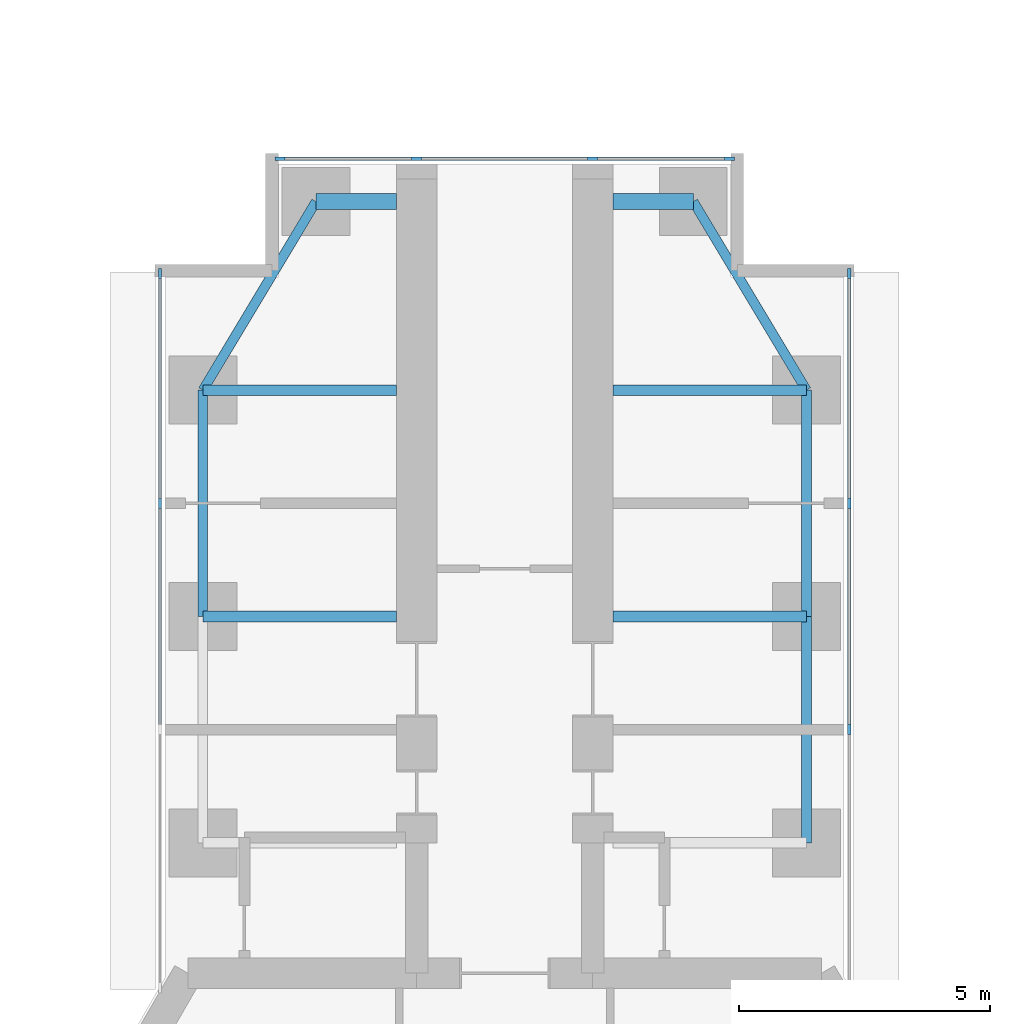
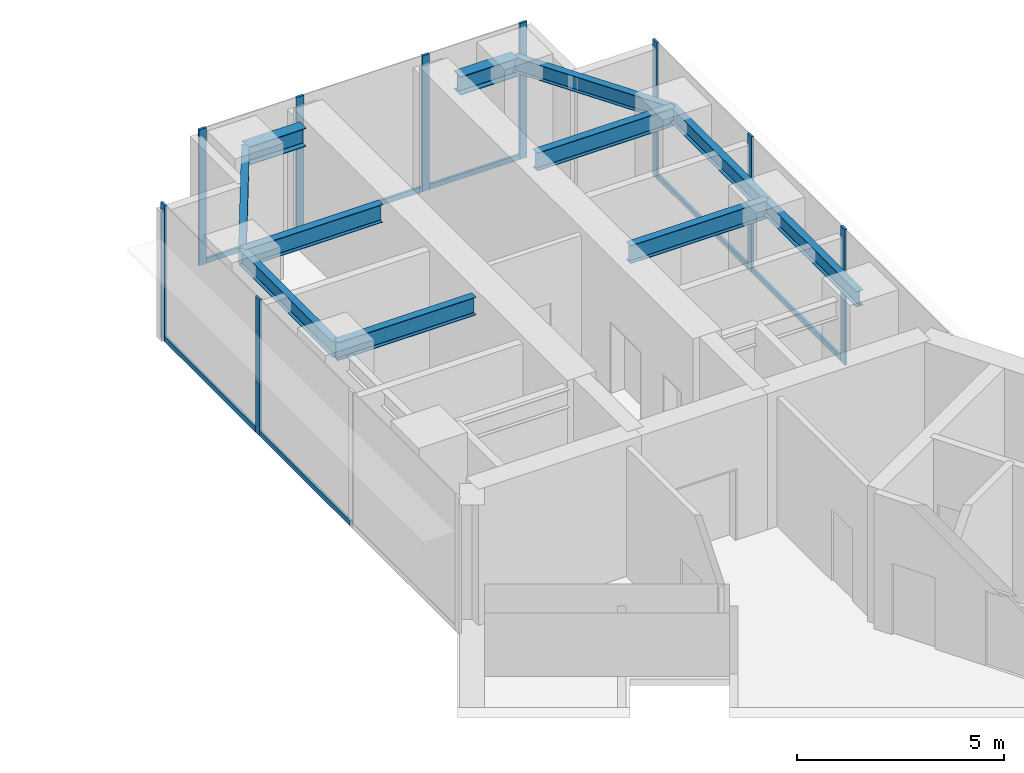
# One storey, part 12 of 21: 16 members, 11 beams, 3 elements without a shape of their own.
"""IFC4 building model written with IfcOpenShell, lengths in metres."""

from ifc_helpers import new_model, si_unit, direction, frame, origin, origin_2d, place, context, subcontext, project, spatial, rectangle, i_section, extrude, material, material_profile, profile_set, type_object, element, aggregate, save


model = new_model("IFC4")

# Units and contexts
model_context = context("Model", 3, precision=1e-05, world=origin(), true_north=direction((0.0, 1.0)))
body_context = subcontext(model_context, "Body", "Model", "MODEL_VIEW")
ifc_project = project(units=[si_unit("LENGTHUNIT", "METRE"), si_unit("AREAUNIT", "SQUARE_METRE"), si_unit("VOLUMEUNIT", "CUBIC_METRE"), si_unit("PLANEANGLEUNIT", "RADIAN"), si_unit("MASSUNIT", "GRAM", prefix="KILO")], contexts=[model_context])

# Site, building, storey
site_placement = place(None, origin())
site = spatial("IfcSite", under=ifc_project, at=site_placement, CompositionType="ELEMENT")
building_placement = place(site_placement, origin())
building = spatial("IfcBuilding", under=site, at=building_placement, Name="Upepo Twin Towers", CompositionType="ELEMENT")
storey_placement = place(building_placement, frame((0.0, 0.0, 113.5)))
storey = spatial("IfcBuildingStorey", under=building, at=storey_placement, Name="L27", CompositionType="ELEMENT", Elevation=113.5)

# Beams
ifc_material_1 = material(Name="Steel S355", Category="steel")
ifc_material_profile_1 = material_profile(ifc_material_1, i_section(OverallWidth=0.1904296875, OverallDepth=0.45703125, WebThickness=0.009033203125, FlangeThickness=0.014404296875, FilletRadius=0.01025390625, at=origin_2d()), Name="UB 457x191x74")
ifc_profile_set_1 = profile_set([ifc_material_profile_1], Name="Steel S355")
beam_type_1 = type_object("IfcBeamType", Name="Beam UB 457x191x74", PredefinedType="BEAM", material=ifc_profile_set_1)
beam_1_placement = place(storey_placement, frame((52.5, 0.0, 3.571533203125), z_axis=(0.0, 1.0, 0.0), x_axis=(-1.0, 0.0, 0.0)))
element("IfcBeam", 1, at=beam_1_placement, inside=storey, type_object=beam_type_1, Name="T2 edge beam AL 18.0-22.5", PredefinedType="BEAM", context=body_context, shape_type="SweptSolid", body=[
    extrude(i_section(OverallWidth=0.1904296875, OverallDepth=0.45703125, WebThickness=0.009033203125, FlangeThickness=0.014404296875, FilletRadius=0.01025390625, at=origin_2d()), origin(), (0.0, 0.0, 1.0), 4.5),
])
beam_2_placement = place(storey_placement, frame((52.5, 4.5, 3.571533203125), z_axis=(0.514495755428, 0.857492925713, 0.0), x_axis=(-0.857492925713, 0.514495755428, 0.0)))
element("IfcBeam", 2, at=beam_2_placement, inside=storey, type_object=beam_type_1, Name="T2 nose edge beam AL", PredefinedType="BEAM", context=body_context, shape_type="SweptSolid", body=[
    extrude(i_section(OverallWidth=0.1904296875, OverallDepth=0.45703125, WebThickness=0.009033203125, FlangeThickness=0.014404296875, FilletRadius=0.01025390625, at=origin_2d()), origin(), (0.0, 0.0, 1.0), 4.373291015625),
])
for number, where, z_axis, x_axis, name in (
    (3, (64.5, -4.5, 3.571533203125), (0.0, 1.0, 0.0), (-1.0, 0.0, 0.0), "T2 edge beam AR 13.5-18.0"),
    (4, (64.5, 0.0, 3.571533203125), (0.0, 1.0, 0.0), (-1.0, 0.0, 0.0), "T2 edge beam AR 18.0-22.5"),
):
    element("IfcBeam", number, at=place(storey_placement, frame(where, z_axis=z_axis, x_axis=x_axis)), inside=storey, type_object=beam_type_1, Name=name, PredefinedType="BEAM", context=body_context, shape_type="SweptSolid", body=[
        extrude(i_section(OverallWidth=0.1904296875, OverallDepth=0.45703125, WebThickness=0.009033203125, FlangeThickness=0.014404296875, FilletRadius=0.01025390625, at=origin_2d()), origin(), (0.0, 0.0, 1.0), 4.5),
    ])
beam_3_placement = place(storey_placement, frame((64.5, 4.5, 3.571533203125), z_axis=(-0.514495755428, 0.857492925713, 0.0), x_axis=(-0.857492925713, -0.514495755428, 0.0)))
element("IfcBeam", 5, at=beam_3_placement, inside=storey, type_object=beam_type_1, Name="T2 nose edge beam AR", PredefinedType="BEAM", context=body_context, shape_type="SweptSolid", body=[
    extrude(i_section(OverallWidth=0.1904296875, OverallDepth=0.45703125, WebThickness=0.009033203125, FlangeThickness=0.014404296875, FilletRadius=0.01025390625, at=origin_2d()), origin(), (0.0, 0.0, 1.0), 4.373291015625),
])
ifc_material_2 = material(Name="Steel S355", Category="steel")
ifc_material_profile_2 = material_profile(ifc_material_2, i_section(OverallWidth=0.209228515625, OverallDepth=0.533203125, WebThickness=0.010009765625, FlangeThickness=0.015625, FilletRadius=0.0126953125, at=origin_2d()), Name="UB 533x210x92")
ifc_profile_set_2 = profile_set([ifc_material_profile_2], Name="Steel S355")
beam_type_2 = type_object("IfcBeamType", Name="Beam UB 533x210x92", PredefinedType="BEAM", material=ifc_profile_set_2)
for number, where, z_axis, x_axis, name in (
    (6, (52.5, 0.0, 3.533447265625), (1.0, 0.0, 0.0), (0.0, 1.0, 0.0), "T2 girder AL at 18.0"),
    (7, (52.5, 4.5, 3.533447265625), (1.0, 0.0, 0.0), (0.0, 1.0, 0.0), "T2 girder AL at 22.5"),
    (8, (64.5, 0.0, 3.533447265625), (-1.0, 0.0, 0.0), (0.0, -1.0, 0.0), "T2 girder AR at 18.0"),
    (9, (64.5, 4.5, 3.533447265625), (-1.0, 0.0, 0.0), (0.0, -1.0, 0.0), "T2 girder AR at 22.5"),
):
    element("IfcBeam", number, at=place(storey_placement, frame(where, z_axis=z_axis, x_axis=x_axis)), inside=storey, type_object=beam_type_2, Name=name, PredefinedType="BEAM", context=body_context, shape_type="SweptSolid", body=[
        extrude(i_section(OverallWidth=0.209228515625, OverallDepth=0.533203125, WebThickness=0.010009765625, FlangeThickness=0.015625, FilletRadius=0.0126953125, at=origin_2d()), origin(), (0.0, 0.0, 1.0), 3.85009765625),
    ])
ifc_material_3 = material(Name="Steel S355", Category="steel")
ifc_material_profile_3 = material_profile(ifc_material_3, i_section(OverallWidth=0.31201171875, OverallDepth=0.54345703125, WebThickness=0.0126953125, FlangeThickness=0.020263671875, FilletRadius=0.0126953125, at=origin_2d()), Name="UB 533x312x150")
ifc_profile_set_3 = profile_set([ifc_material_profile_3], Name="Steel S355")
beam_type_3 = type_object("IfcBeamType", Name="Beam UB 533x312x150", PredefinedType="BEAM", material=ifc_profile_set_3)
for number, where, z_axis, x_axis, name in (
    (10, (54.75, 8.25, 3.5283203125), (1.0, 0.0, 0.0), (0.0, 1.0, 0.0), "T2 nose beam AL"),
    (11, (62.25, 8.25, 3.5283203125), (-1.0, 0.0, 0.0), (0.0, -1.0, 0.0), "T2 nose beam AR"),
):
    element("IfcBeam", number, at=place(storey_placement, frame(where, z_axis=z_axis, x_axis=x_axis)), inside=storey, type_object=beam_type_3, Name=name, PredefinedType="BEAM", context=body_context, shape_type="SweptSolid", body=[
        extrude(i_section(OverallWidth=0.31201171875, OverallDepth=0.54345703125, WebThickness=0.0126953125, FlangeThickness=0.020263671875, FilletRadius=0.0126953125, at=origin_2d()), origin(), (0.0, 0.0, 1.0), 1.60009765625),
    ])

# Curtain wall, members
ifc_material_4 = material(Name="Aluminium and fritted glass", Category="aluminium")
curtain_wall_type = type_object("IfcCurtainWallType", Name="Tower curtain wall TW2, fritted glass", PredefinedType="NOTDEFINED", material=ifc_material_4)
curtain_wall_1_placement = place(storey_placement, origin())
curtain_wall_1 = element("IfcCurtainWall", 12, at=curtain_wall_1_placement, inside=storey, type_object=curtain_wall_type, Name="T2 L27 wing A flank L curtain wall", PredefinedType="NOTDEFINED")
ifc_material_5 = material(Name="Aluminium mullion", Category="aluminium")
ifc_material_profile_4 = material_profile(ifc_material_5, rectangle(XDim=0.06494140625, YDim=0.199951171875, at=origin_2d()), Name="MULLION 65x200")
ifc_profile_set_4 = profile_set([ifc_material_profile_4], Name="Aluminium mullion")
member_type_1 = type_object("IfcMemberType", Name="Mullion 65x200 TW2", PredefinedType="MULLION", material=ifc_profile_set_4)
member_1_placement = place(storey_placement, frame((51.64990234375, 2.25, 0.0), z_axis=(0.0, 0.0, 1.0), x_axis=(-1.0, 0.0, 0.0)))
member_1 = element("IfcMember", 13, at=member_1_placement, type_object=member_type_1, Name="T2 L27 wing A flank L curtain wall mullion 3", PredefinedType="MULLION", context=body_context, shape_type="SweptSolid", body=[
    extrude(rectangle(XDim=0.06494140625, YDim=0.199951171875, at=origin_2d()), origin(), (0.0, 0.0, 1.0), 4.0),
])
member_2_placement = place(storey_placement, frame((51.64990234375, 6.8173828125, 0.0), z_axis=(0.0, 0.0, 1.0), x_axis=(-1.0, 0.0, 0.0)))
member_2 = element("IfcMember", 14, at=member_2_placement, type_object=member_type_1, Name="T2 L27 wing A flank L curtain wall mullion 4", PredefinedType="MULLION", context=body_context, shape_type="SweptSolid", body=[
    extrude(rectangle(XDim=0.06494140625, YDim=0.199951171875, at=origin_2d()), origin(), (0.0, 0.0, 1.0), 4.0),
])

curtain_wall_2_placement = place(storey_placement, origin())
curtain_wall_2 = element("IfcCurtainWall", 15, at=curtain_wall_2_placement, inside=storey, type_object=curtain_wall_type, Name="T2 L27 wing A flank R curtain wall", PredefinedType="NOTDEFINED")
member_3_placement = place(storey_placement, frame((65.35009765625, 6.8173828125, 0.0), z_axis=(0.0, 0.0, 1.0), x_axis=(1.0, 0.0, 0.0)))
member_3 = element("IfcMember", 16, at=member_3_placement, type_object=member_type_1, Name="T2 L27 wing A flank R curtain wall mullion 1", PredefinedType="MULLION", context=body_context, shape_type="SweptSolid", body=[
    extrude(rectangle(XDim=0.06494140625, YDim=0.199951171875, at=origin_2d()), origin(), (0.0, 0.0, 1.0), 4.0),
])
member_4_placement = place(storey_placement, frame((65.35009765625, 2.25, 0.0), z_axis=(0.0, 0.0, 1.0), x_axis=(1.0, 0.0, 0.0)))
member_4 = element("IfcMember", 17, at=member_4_placement, type_object=member_type_1, Name="T2 L27 wing A flank R curtain wall mullion 2", PredefinedType="MULLION", context=body_context, shape_type="SweptSolid", body=[
    extrude(rectangle(XDim=0.06494140625, YDim=0.199951171875, at=origin_2d()), origin(), (0.0, 0.0, 1.0), 4.0),
])
member_5_placement = place(storey_placement, frame((65.35009765625, -2.25, 0.0), z_axis=(0.0, 0.0, 1.0), x_axis=(1.0, 0.0, 0.0)))
member_5 = element("IfcMember", 18, at=member_5_placement, type_object=member_type_1, Name="T2 L27 wing A flank R curtain wall mullion 3", PredefinedType="MULLION", context=body_context, shape_type="SweptSolid", body=[
    extrude(rectangle(XDim=0.06494140625, YDim=0.199951171875, at=origin_2d()), origin(), (0.0, 0.0, 1.0), 4.0),
])

curtain_wall_3_placement = place(storey_placement, origin())
curtain_wall_3 = element("IfcCurtainWall", 19, at=curtain_wall_3_placement, inside=storey, type_object=curtain_wall_type, Name="T2 L27 wing A nose curtain wall", PredefinedType="NOTDEFINED")
member_6_placement = place(storey_placement, frame((62.967529296875, 9.10009765625, 0.0), z_axis=(0.0, 0.0, 1.0), x_axis=(0.0, -1.0, 0.0)))
member_6 = element("IfcMember", 20, at=member_6_placement, type_object=member_type_1, Name="T2 L27 wing A nose curtain wall mullion 1", PredefinedType="MULLION", context=body_context, shape_type="SweptSolid", body=[
    extrude(rectangle(XDim=0.06494140625, YDim=0.199951171875, at=origin_2d()), origin(), (0.0, 0.0, 1.0), 4.0),
])
member_7_placement = place(storey_placement, frame((60.25, 9.10009765625, 0.0), z_axis=(0.0, 0.0, 1.0), x_axis=(0.0, -1.0, 0.0)))
member_7 = element("IfcMember", 21, at=member_7_placement, type_object=member_type_1, Name="T2 L27 wing A nose curtain wall mullion 2", PredefinedType="MULLION", context=body_context, shape_type="SweptSolid", body=[
    extrude(rectangle(XDim=0.06494140625, YDim=0.199951171875, at=origin_2d()), origin(), (0.0, 0.0, 1.0), 4.0),
])
member_8_placement = place(storey_placement, frame((56.75, 9.10009765625, 0.0), z_axis=(0.0, 0.0, 1.0), x_axis=(0.0, -1.0, 0.0)))
member_8 = element("IfcMember", 22, at=member_8_placement, type_object=member_type_1, Name="T2 L27 wing A nose curtain wall mullion 3", PredefinedType="MULLION", context=body_context, shape_type="SweptSolid", body=[
    extrude(rectangle(XDim=0.06494140625, YDim=0.199951171875, at=origin_2d()), origin(), (0.0, 0.0, 1.0), 4.0),
])
member_9_placement = place(storey_placement, frame((54.032470703125, 9.10009765625, 0.0), z_axis=(0.0, 0.0, 1.0), x_axis=(0.0, -1.0, 0.0)))
member_9 = element("IfcMember", 23, at=member_9_placement, type_object=member_type_1, Name="T2 L27 wing A nose curtain wall mullion 4", PredefinedType="MULLION", context=body_context, shape_type="SweptSolid", body=[
    extrude(rectangle(XDim=0.06494140625, YDim=0.199951171875, at=origin_2d()), origin(), (0.0, 0.0, 1.0), 4.0),
])

# Member
ifc_material_6 = material(Name="Aluminium transom", Category="aluminium")
ifc_material_profile_5 = material_profile(ifc_material_6, rectangle(XDim=0.06494140625, YDim=0.14990234375, at=origin_2d()), Name="TRANSOM 65x150")
ifc_profile_set_5 = profile_set([ifc_material_profile_5], Name="Aluminium transom")
member_type_2 = type_object("IfcMemberType", Name="Transom 65x150 TW2", PredefinedType="USERDEFINED", material=ifc_profile_set_5)
member_10_placement = place(storey_placement, frame((51.64990234375, -2.217529296875, 0.074951171875), z_axis=(0.0, 1.0, 0.0), x_axis=(-1.0, 0.0, 0.0)))
member_10 = element("IfcMember", 24, at=member_10_placement, type_object=member_type_2, Name="T2 L27 wing A flank L curtain wall transom 2", ObjectType="TRANSOM", PredefinedType="USERDEFINED", context=body_context, shape_type="SweptSolid", body=[
    extrude(rectangle(XDim=0.06494140625, YDim=0.14990234375, at=origin_2d()), origin(), (0.0, 0.0, 1.0), 4.43505859375),
])

member_11_placement = place(storey_placement, frame((51.64990234375, 2.282470703125, 0.074951171875), z_axis=(0.0, 1.0, 0.0), x_axis=(-1.0, 0.0, 0.0)))
member_11 = element("IfcMember", 25, at=member_11_placement, type_object=member_type_2, Name="T2 L27 wing A flank L curtain wall transom 3", ObjectType="TRANSOM", PredefinedType="USERDEFINED", context=body_context, shape_type="SweptSolid", body=[
    extrude(rectangle(XDim=0.06494140625, YDim=0.14990234375, at=origin_2d()), origin(), (0.0, 0.0, 1.0), 4.50244140625),
])

aggregate(curtain_wall_1, [member_1, member_2, member_10, member_11])

member_12_placement = place(storey_placement, frame((65.35009765625, 6.784912109375, 0.074951171875), z_axis=(0.0, -1.0, 0.0), x_axis=(1.0, 0.0, 0.0)))
member_12 = element("IfcMember", 26, at=member_12_placement, type_object=member_type_2, Name="T2 L27 wing A flank R curtain wall transom 1", ObjectType="TRANSOM", PredefinedType="USERDEFINED", context=body_context, shape_type="SweptSolid", body=[
    extrude(rectangle(XDim=0.06494140625, YDim=0.14990234375, at=origin_2d()), origin(), (0.0, 0.0, 1.0), 4.50244140625),
])

member_13_placement = place(storey_placement, frame((65.35009765625, 2.217529296875, 0.074951171875), z_axis=(0.0, -1.0, 0.0), x_axis=(1.0, 0.0, 0.0)))
member_13 = element("IfcMember", 27, at=member_13_placement, type_object=member_type_2, Name="T2 L27 wing A flank R curtain wall transom 2", ObjectType="TRANSOM", PredefinedType="USERDEFINED", context=body_context, shape_type="SweptSolid", body=[
    extrude(rectangle(XDim=0.06494140625, YDim=0.14990234375, at=origin_2d()), origin(), (0.0, 0.0, 1.0), 4.43505859375),
])

aggregate(curtain_wall_2, [member_3, member_4, member_5, member_12, member_13])

member_14_placement = place(storey_placement, frame((62.93505859375, 9.10009765625, 0.074951171875), z_axis=(-1.0, 0.0, 0.0), x_axis=(0.0, -1.0, 0.0)))
member_14 = element("IfcMember", 28, at=member_14_placement, type_object=member_type_2, Name="T2 L27 wing A nose curtain wall transom 1", ObjectType="TRANSOM", PredefinedType="USERDEFINED", context=body_context, shape_type="SweptSolid", body=[
    extrude(rectangle(XDim=0.06494140625, YDim=0.14990234375, at=origin_2d()), origin(), (0.0, 0.0, 1.0), 2.652587890625),
])

member_15_placement = place(storey_placement, frame((60.217529296875, 9.10009765625, 0.074951171875), z_axis=(-1.0, 0.0, 0.0), x_axis=(0.0, -1.0, 0.0)))
member_15 = element("IfcMember", 29, at=member_15_placement, type_object=member_type_2, Name="T2 L27 wing A nose curtain wall transom 2", ObjectType="TRANSOM", PredefinedType="USERDEFINED", context=body_context, shape_type="SweptSolid", body=[
    extrude(rectangle(XDim=0.06494140625, YDim=0.14990234375, at=origin_2d()), origin(), (0.0, 0.0, 1.0), 3.43505859375),
])

member_16_placement = place(storey_placement, frame((56.717529296875, 9.10009765625, 0.074951171875), z_axis=(-1.0, 0.0, 0.0), x_axis=(0.0, -1.0, 0.0)))
member_16 = element("IfcMember", 30, at=member_16_placement, type_object=member_type_2, Name="T2 L27 wing A nose curtain wall transom 3", ObjectType="TRANSOM", PredefinedType="USERDEFINED", context=body_context, shape_type="SweptSolid", body=[
    extrude(rectangle(XDim=0.06494140625, YDim=0.14990234375, at=origin_2d()), origin(), (0.0, 0.0, 1.0), 2.652587890625),
])

aggregate(curtain_wall_3, [member_6, member_7, member_8, member_9, member_14, member_15, member_16])

save(model, "model.ifc")
